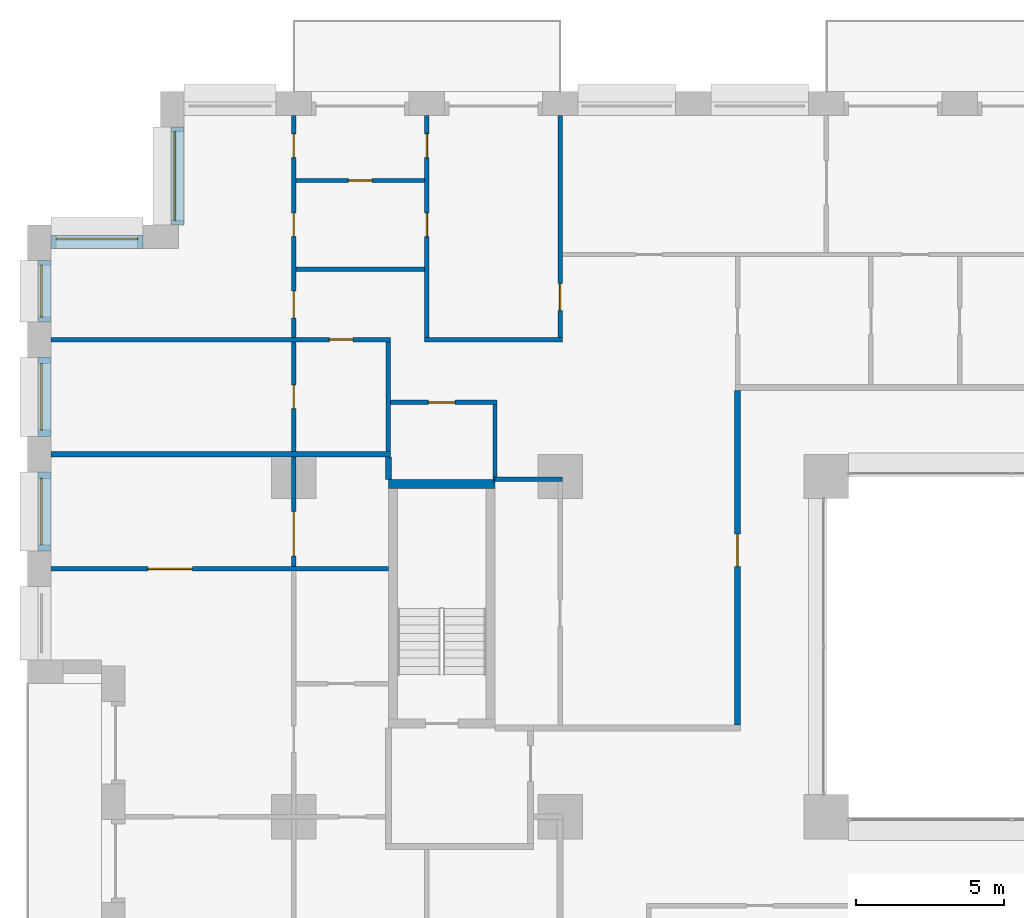
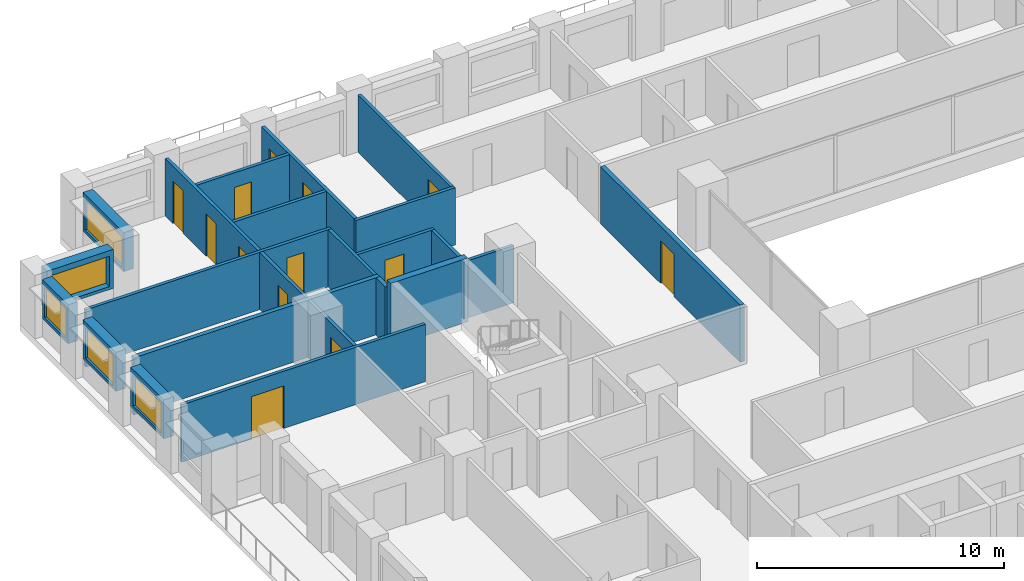
# One storey, part 13 of 19: 24 walls, 13 doors, 5 windows, 18 openings.
"""IFC4 building model written with IfcOpenShell, lengths in metres."""

from ifc_helpers import new_model, si_unit, direction, frame, frame_2d, origin, place, context, subcontext, project, spatial, rectangle, extrude, material, layer, layer_set, type_object, element, fill, save


model = new_model("IFC4")

# Units and contexts
model_context = context("Model", 3, precision=1e-05, world=origin(), true_north=direction((0.0, 1.0)))
body_context = subcontext(model_context, "Body", "Model", "MODEL_VIEW")
ifc_project = project(units=[si_unit("LENGTHUNIT", "METRE"), si_unit("AREAUNIT", "SQUARE_METRE"), si_unit("VOLUMEUNIT", "CUBIC_METRE"), si_unit("PLANEANGLEUNIT", "RADIAN"), si_unit("MASSUNIT", "GRAM", prefix="KILO")], contexts=[model_context])

# Site, building, storey
site_placement = place(None, origin())
site = spatial("IfcSite", under=ifc_project, at=site_placement, CompositionType="ELEMENT")
building_placement = place(site_placement, origin())
building = spatial("IfcBuilding", under=site, at=building_placement, Name="Brigalow Station Residences", CompositionType="ELEMENT")
storey_placement = place(building_placement, frame((0.0, 0.0, 32.10009765625)))
storey = spatial("IfcBuildingStorey", under=building, at=storey_placement, Name="L08", CompositionType="ELEMENT", Elevation=32.10009765625)

# Wall, opening, window
ifc_material_1 = material(Name="Clay brick masonry", Category="masonry")
ifc_layer_1 = layer(ifc_material_1, 0.449951171875)
ifc_layer_set_1 = layer_set([ifc_layer_1], Name="BRICK INFILL WALL 450")
wall_type_1 = type_object("IfcWallType", Name="BRICK INFILL WALL 450", PredefinedType="SOLIDWALL", material=ifc_layer_set_1)
wall_1_placement = place(storey_placement, frame((5.074951171875, 47.300048828125, 0.89990234375), z_axis=(0.0, 0.0, 1.0), x_axis=(0.0, -1.0, 0.0)))
wall_1 = element("IfcWall", 1, at=wall_1_placement, inside=storey, type_object=wall_type_1, Name="L08/ewall/W-L08-40", PredefinedType="SOLIDWALL", context=body_context, shape_type="SweptSolid", body=[
    extrude(rectangle(XDim=3.300048828125, YDim=0.449951171875, at=frame_2d((1.64990234375, 0.0))), origin(), (0.0, 0.0, 1.0), 1.929931640625),
])
opening_1_placement = place(wall_1_placement, frame((0.14990234375, 0.0, 0.14990234375)))
opening_1 = element("IfcOpeningElement", 2, at=opening_1_placement, cuts=wall_1, Name="Opening WT-2", PredefinedType="OPENING", context=body_context, shape_type="SweptSolid", body=[
    extrude(rectangle(XDim=3.0, YDim=1.5, at=frame_2d((1.5, 0.75))), frame((0.0, 0.23486328125, 0.0), z_axis=(0.0, -1.0, 0.0), x_axis=(1.0, 0.0, 0.0)), (0.0, 0.0, 1.0), 0.469970703125),
])
ifc_material_2 = material(Name="Anodised aluminium frame with double glazing", Category="aluminium")
window_type_1 = type_object("IfcWindowType", Name="WINDOW 3000x1500", PartitioningType="SINGLE_PANEL", PredefinedType="WINDOW", material=ifc_material_2)
window_1_placement = place(opening_1_placement, origin())
window_1 = element("IfcWindow", 3, at=window_1_placement, inside=storey, type_object=window_type_1, Name="L08/window/W-L08-40", OverallHeight=1.5, OverallWidth=3.0, PartitioningType="SINGLE_PANEL", PredefinedType="WINDOW", context=body_context, shape_type="SweptSolid", body=[
    extrude(rectangle(XDim=3.0, YDim=1.5, at=frame_2d((1.5, 0.75))), frame((0.0, -0.06494140625, 0.0), z_axis=(0.0, -1.0, 0.0), x_axis=(1.0, 0.0, 0.0)), (0.0, 0.0, 1.0), 0.06005859375),
])
fill(opening_1, window_1)

wall_2_placement = place(storey_placement, frame((3.89990234375, 43.425048828125, 0.89990234375), z_axis=(0.0, 0.0, 1.0), x_axis=(-1.0, 0.0, 0.0)))
wall_2 = element("IfcWall", 4, at=wall_2_placement, inside=storey, type_object=wall_type_1, Name="L08/ewall/W-L08-41", PredefinedType="SOLIDWALL", context=body_context, shape_type="SweptSolid", body=[
    extrude(rectangle(XDim=3.099853515625, YDim=0.449951171875, at=frame_2d((1.5498046875, 0.0))), origin(), (0.0, 0.0, 1.0), 1.929931640625),
])
opening_2_placement = place(wall_2_placement, frame((0.175048828125, 0.0, 0.14990234375)))
opening_2 = element("IfcOpeningElement", 5, at=opening_2_placement, cuts=wall_2, Name="Opening WT-3", PredefinedType="OPENING", context=body_context, shape_type="SweptSolid", body=[
    extrude(rectangle(XDim=2.75, YDim=1.5, at=frame_2d((1.375, 0.75))), frame((0.0, 0.23486328125, 0.0), z_axis=(0.0, -1.0, 0.0), x_axis=(1.0, 0.0, 0.0)), (0.0, 0.0, 1.0), 0.469970703125),
])
ifc_material_3 = material(Name="Anodised aluminium frame with double glazing", Category="aluminium")
window_type_2 = type_object("IfcWindowType", Name="WINDOW 2750x1500", PartitioningType="SINGLE_PANEL", PredefinedType="WINDOW", material=ifc_material_3)
window_2_placement = place(opening_2_placement, origin())
window_2 = element("IfcWindow", 6, at=window_2_placement, inside=storey, type_object=window_type_2, Name="L08/window/W-L08-41", OverallHeight=1.5, OverallWidth=2.75, PartitioningType="SINGLE_PANEL", PredefinedType="WINDOW", context=body_context, shape_type="SweptSolid", body=[
    extrude(rectangle(XDim=2.75, YDim=1.5, at=frame_2d((1.375, 0.75))), frame((0.0, -0.06494140625, 0.0), z_axis=(0.0, -1.0, 0.0), x_axis=(1.0, 0.0, 0.0)), (0.0, 0.0, 1.0), 0.06005859375),
])
fill(opening_2, window_2)

wall_3_placement = place(storey_placement, frame((0.574951171875, 42.800048828125, 0.89990234375), z_axis=(0.0, 0.0, 1.0), x_axis=(0.0, -1.0, 0.0)))
wall_3 = element("IfcWall", 7, at=wall_3_placement, inside=storey, type_object=wall_type_1, Name="L08/ewall/W-L08-42", PredefinedType="SOLIDWALL", context=body_context, shape_type="SweptSolid", body=[
    extrude(rectangle(XDim=2.074951171875, YDim=0.449951171875, at=frame_2d((1.03759765625, 0.0))), origin(), (0.0, 0.0, 1.0), 1.929931640625),
])
opening_3_placement = place(wall_3_placement, frame((0.16259765625, 0.0, 0.14990234375)))
opening_3 = element("IfcOpeningElement", 8, at=opening_3_placement, cuts=wall_3, Name="Opening WT-4", PredefinedType="OPENING", context=body_context, shape_type="SweptSolid", body=[
    extrude(rectangle(XDim=1.75, YDim=1.5, at=frame_2d((0.875, 0.75))), frame((0.0, 0.23486328125, 0.0), z_axis=(0.0, -1.0, 0.0), x_axis=(1.0, 0.0, 0.0)), (0.0, 0.0, 1.0), 0.469970703125),
])
ifc_material_4 = material(Name="Anodised aluminium frame with double glazing", Category="aluminium")
window_type_3 = type_object("IfcWindowType", Name="WINDOW 1750x1500", PartitioningType="SINGLE_PANEL", PredefinedType="WINDOW", material=ifc_material_4)
window_3_placement = place(opening_3_placement, origin())
window_3 = element("IfcWindow", 9, at=window_3_placement, inside=storey, type_object=window_type_3, Name="L08/window/W-L08-42", OverallHeight=1.5, OverallWidth=1.75, PartitioningType="SINGLE_PANEL", PredefinedType="WINDOW", context=body_context, shape_type="SweptSolid", body=[
    extrude(rectangle(XDim=1.75, YDim=1.5, at=frame_2d((0.875, 0.75))), frame((0.0, -0.06494140625, 0.0), z_axis=(0.0, -1.0, 0.0), x_axis=(1.0, 0.0, 0.0)), (0.0, 0.0, 1.0), 0.06005859375),
])
fill(opening_3, window_3)

wall_4_placement = place(storey_placement, frame((0.574951171875, 39.52490234375, 0.89990234375), z_axis=(0.0, 0.0, 1.0), x_axis=(0.0, -1.0, 0.0)))
wall_4 = element("IfcWall", 10, at=wall_4_placement, inside=storey, type_object=wall_type_1, Name="L08/ewall/W-L08-43", PredefinedType="SOLIDWALL", context=body_context, shape_type="SweptSolid", body=[
    extrude(rectangle(XDim=2.6748046875, YDim=0.449951171875, at=frame_2d((1.33740234375, 0.0))), origin(), (0.0, 0.0, 1.0), 1.929931640625),
])
opening_4_placement = place(wall_4_placement, frame((0.21240234375, 0.0, 0.14990234375)))
opening_4 = element("IfcOpeningElement", 11, at=opening_4_placement, cuts=wall_4, Name="Opening WT-6", PredefinedType="OPENING", context=body_context, shape_type="SweptSolid", body=[
    extrude(rectangle(XDim=2.25, YDim=1.5, at=frame_2d((1.125, 0.75))), frame((0.0, 0.23486328125, 0.0), z_axis=(0.0, -1.0, 0.0), x_axis=(1.0, 0.0, 0.0)), (0.0, 0.0, 1.0), 0.469970703125),
])
ifc_material_5 = material(Name="Anodised aluminium frame with double glazing", Category="aluminium")
window_type_4 = type_object("IfcWindowType", Name="WINDOW 2250x1500", PartitioningType="SINGLE_PANEL", PredefinedType="WINDOW", material=ifc_material_5)
window_4_placement = place(opening_4_placement, origin())
window_4 = element("IfcWindow", 12, at=window_4_placement, inside=storey, type_object=window_type_4, Name="L08/window/W-L08-43", OverallHeight=1.5, OverallWidth=2.25, PartitioningType="SINGLE_PANEL", PredefinedType="WINDOW", context=body_context, shape_type="SweptSolid", body=[
    extrude(rectangle(XDim=2.25, YDim=1.5, at=frame_2d((1.125, 0.75))), frame((0.0, -0.06494140625, 0.0), z_axis=(0.0, -1.0, 0.0), x_axis=(1.0, 0.0, 0.0)), (0.0, 0.0, 1.0), 0.06005859375),
])
fill(opening_4, window_4)

wall_5_placement = place(storey_placement, frame((0.574951171875, 35.64990234375, 0.89990234375), z_axis=(0.0, 0.0, 1.0), x_axis=(0.0, -1.0, 0.0)))
wall_5 = element("IfcWall", 13, at=wall_5_placement, inside=storey, type_object=wall_type_1, Name="L08/ewall/W-L08-44", PredefinedType="SOLIDWALL", context=body_context, shape_type="SweptSolid", body=[
    extrude(rectangle(XDim=2.6748046875, YDim=0.449951171875, at=frame_2d((1.33740234375, 0.0))), origin(), (0.0, 0.0, 1.0), 1.929931640625),
])
opening_5_placement = place(wall_5_placement, frame((0.21240234375, 0.0, 0.14990234375)))
opening_5 = element("IfcOpeningElement", 14, at=opening_5_placement, cuts=wall_5, Name="Opening WT-6", PredefinedType="OPENING", context=body_context, shape_type="SweptSolid", body=[
    extrude(rectangle(XDim=2.25, YDim=1.5, at=frame_2d((1.125, 0.75))), frame((0.0, 0.23486328125, 0.0), z_axis=(0.0, -1.0, 0.0), x_axis=(1.0, 0.0, 0.0)), (0.0, 0.0, 1.0), 0.469970703125),
])
window_5_placement = place(opening_5_placement, origin())
window_5 = element("IfcWindow", 15, at=window_5_placement, inside=storey, type_object=window_type_4, Name="L08/window/W-L08-44", OverallHeight=1.5, OverallWidth=2.25, PartitioningType="SINGLE_PANEL", PredefinedType="WINDOW", context=body_context, shape_type="SweptSolid", body=[
    extrude(rectangle(XDim=2.25, YDim=1.5, at=frame_2d((1.125, 0.75))), frame((0.0, -0.06494140625, 0.0), z_axis=(0.0, -1.0, 0.0), x_axis=(1.0, 0.0, 0.0)), (0.0, 0.0, 1.0), 0.06005859375),
])
fill(opening_5, window_5)

# Wall
ifc_material_6 = material(Name="Concrete C80", Category="concrete")
ifc_layer_2 = layer(ifc_material_6, 0.300048828125)
ifc_layer_set_2 = layer_set([ifc_layer_2], Name="CORE SHEAR WALL 300 C80")
wall_type_2 = type_object("IfcWallType", Name="CORE SHEAR WALL 300 C80", PredefinedType="SHEAR", material=ifc_layer_set_2)
wall_6_placement = place(storey_placement, frame((12.199951171875, 35.25, 0.0), z_axis=(0.0, 0.0, 1.0), x_axis=(1.0, 0.0, 0.0)))
element("IfcWall", 16, at=wall_6_placement, inside=storey, type_object=wall_type_2, Name="CORE WALL ST-S1-N L08", PredefinedType="SHEAR", context=body_context, shape_type="SweptSolid", body=[
    extrude(rectangle(XDim=3.60009765625, YDim=0.300048828125, at=frame_2d((1.800048828125, 0.0))), origin(), (0.0, 0.0, 1.0), 3.14990234375),
])

# Wall, opening, door
ifc_material_7 = material(Name="Plasterboard on steel stud partition", Category="steel")
ifc_layer_3 = layer(ifc_material_7, 0.14990234375)
ifc_layer_set_3 = layer_set([ifc_layer_3], Name="FLAT PARTITION 150")
wall_type_3 = type_object("IfcWallType", Name="FLAT PARTITION 150", PredefinedType="PARTITIONING", material=ifc_layer_set_3)
wall_7_placement = place(storey_placement, frame((0.800048828125, 32.375, 0.0), z_axis=(0.0, 0.0, 1.0), x_axis=(1.0, 0.0, 0.0)))
wall_7 = element("IfcWall", 17, at=wall_7_placement, inside=storey, type_object=wall_type_3, Name="PW-1B17", PredefinedType="PARTITIONING", context=body_context, shape_type="SweptSolid", body=[
    extrude(rectangle(XDim=11.39990234375, YDim=0.14990234375, at=frame_2d((5.699951171875, 0.0))), origin(), (0.0, 0.0, 1.0), 2.829833984375),
])
opening_6_placement = place(wall_7_placement, frame((3.27490234375, 0.0, 0.0)))
opening_6 = element("IfcOpeningElement", 18, at=opening_6_placement, cuts=wall_7, Name="Opening D-1B09", PredefinedType="OPENING", context=body_context, shape_type="SweptSolid", body=[
    extrude(rectangle(XDim=1.5, YDim=2.10009765625, at=frame_2d((0.75, 1.050048828125))), frame((0.0, 0.0849609375, 0.0), z_axis=(0.0, -1.0, 0.0), x_axis=(1.0, 0.0, 0.0)), (0.0, 0.0, 1.0), 0.169921875),
])
ifc_material_8 = material(Name="Solid-core timber door leaf", Category="wood")
door_type_1 = type_object("IfcDoorType", Name="INTERNAL DOUBLE DOOR 1500 x 2100", OperationType="DOUBLE_DOOR_SINGLE_SWING", PredefinedType="DOOR", material=ifc_material_8)
door_1_placement = place(opening_6_placement, origin())
door_1 = element("IfcDoor", 19, at=door_1_placement, inside=storey, type_object=door_type_1, Name="D-1B09", OperationType="DOUBLE_DOOR_SINGLE_SWING", OverallHeight=2.10009765625, OverallWidth=1.5, PredefinedType="DOOR", context=body_context, shape_type="SweptSolid", body=[
    extrude(rectangle(XDim=1.5, YDim=2.10009765625, at=frame_2d((0.75, 1.050048828125))), frame((0.0, 0.02490234375, 0.0), z_axis=(0.0, -1.0, 0.0), x_axis=(1.0, 0.0, 0.0)), (0.0, 0.0, 1.0), 0.050048828125),
])
fill(opening_6, door_1)

# Walls
wall_8_placement = place(storey_placement, frame((15.72509765625, 35.39990234375, 0.0), z_axis=(0.0, 0.0, 1.0), x_axis=(1.0, 0.0, 0.0)))
element("IfcWall", 20, at=wall_8_placement, inside=storey, type_object=wall_type_3, Name="PW-1B25", PredefinedType="PARTITIONING", context=body_context, shape_type="SweptSolid", body=[
    extrude(rectangle(XDim=0.074951171875, YDim=0.14990234375, at=frame_2d((0.03759765625, 0.0))), origin(), (0.0, 0.0, 1.0), 2.829833984375),
])
wall_9_placement = place(storey_placement, frame((15.800048828125, 35.39990234375, 0.0), z_axis=(0.0, 0.0, 1.0), x_axis=(1.0, 0.0, 0.0)))
element("IfcWall", 21, at=wall_9_placement, inside=storey, type_object=wall_type_3, Name="PW-1B26", PredefinedType="PARTITIONING", context=body_context, shape_type="SweptSolid", body=[
    extrude(rectangle(XDim=2.27490234375, YDim=0.14990234375, at=frame_2d((1.137451171875, 0.0))), origin(), (0.0, 0.0, 1.0), 2.829833984375),
])

# Wall, opening, door
wall_10_placement = place(storey_placement, frame((0.800048828125, 40.125, 0.0), z_axis=(0.0, 0.0, 1.0), x_axis=(1.0, 0.0, 0.0)))
wall_10 = element("IfcWall", 22, at=wall_10_placement, inside=storey, type_object=wall_type_3, Name="PW-1B29", PredefinedType="PARTITIONING", context=body_context, shape_type="SweptSolid", body=[
    extrude(rectangle(XDim=11.474853515625, YDim=0.14990234375, at=frame_2d((5.7373046875, 0.0))), origin(), (0.0, 0.0, 1.0), 2.829833984375),
])
opening_7_placement = place(wall_10_placement, frame((9.39990234375, 0.0, 0.0)))
opening_7 = element("IfcOpeningElement", 23, at=opening_7_placement, cuts=wall_10, Name="Opening D-1B33", PredefinedType="OPENING", context=body_context, shape_type="SweptSolid", body=[
    extrude(rectangle(XDim=0.800048828125, YDim=2.10009765625, at=frame_2d((0.39990234375, 1.050048828125))), frame((0.0, 0.0849609375, 0.0), z_axis=(0.0, -1.0, 0.0), x_axis=(1.0, 0.0, 0.0)), (0.0, 0.0, 1.0), 0.169921875),
])
ifc_material_9 = material(Name="Solid-core timber door leaf", Category="wood")
door_type_2 = type_object("IfcDoorType", Name="INTERNAL DOOR 800 x 2100", OperationType="SINGLE_SWING_LEFT", PredefinedType="DOOR", material=ifc_material_9)
door_2_placement = place(opening_7_placement, frame((0.800048828125, 0.0, 0.0), z_axis=(0.0, 0.0, 1.0), x_axis=(-1.0, 0.0, 0.0)))
door_2 = element("IfcDoor", 24, at=door_2_placement, inside=storey, type_object=door_type_2, Name="D-1B33", OperationType="SINGLE_SWING_RIGHT", OverallHeight=2.10009765625, OverallWidth=0.800048828125, PredefinedType="DOOR", context=body_context, shape_type="SweptSolid", body=[
    extrude(rectangle(XDim=0.800048828125, YDim=2.10009765625, at=frame_2d((0.39990234375, 1.050048828125))), frame((0.0, 0.02490234375, 0.0), z_axis=(0.0, -1.0, 0.0), x_axis=(1.0, 0.0, 0.0)), (0.0, 0.0, 1.0), 0.050048828125),
])
fill(opening_7, door_2)

# Wall
wall_11_placement = place(storey_placement, frame((13.425048828125, 40.125, 0.0), z_axis=(0.0, 0.0, 1.0), x_axis=(1.0, 0.0, 0.0)))
element("IfcWall", 25, at=wall_11_placement, inside=storey, type_object=wall_type_3, Name="PW-1B30", PredefinedType="PARTITIONING", context=body_context, shape_type="SweptSolid", body=[
    extrude(rectangle(XDim=4.64990234375, YDim=0.14990234375, at=frame_2d((2.324951171875, 0.0))), origin(), (0.0, 0.0, 1.0), 2.829833984375),
])

# Wall, opening, door
wall_12_placement = place(storey_placement, frame((12.27490234375, 38.0, 0.0), z_axis=(0.0, 0.0, 1.0), x_axis=(1.0, 0.0, 0.0)))
wall_12 = element("IfcWall", 26, at=wall_12_placement, inside=storey, type_object=wall_type_3, Name="PW-1B32", PredefinedType="PARTITIONING", context=body_context, shape_type="SweptSolid", body=[
    extrude(rectangle(XDim=3.60009765625, YDim=0.14990234375, at=frame_2d((1.800048828125, 0.0))), origin(), (0.0, 0.0, 1.0), 2.829833984375),
])
opening_8_placement = place(wall_12_placement, frame((1.27490234375, 0.0, 0.0)))
opening_8 = element("IfcOpeningElement", 27, at=opening_8_placement, cuts=wall_12, Name="Opening D-1B32", PredefinedType="OPENING", context=body_context, shape_type="SweptSolid", body=[
    extrude(rectangle(XDim=0.89990234375, YDim=2.10009765625, at=frame_2d((0.449951171875, 1.050048828125))), frame((0.0, 0.0849609375, 0.0), z_axis=(0.0, -1.0, 0.0), x_axis=(1.0, 0.0, 0.0)), (0.0, 0.0, 1.0), 0.169921875),
])
ifc_material_10 = material(Name="Solid-core timber door leaf", Category="wood")
door_type_3 = type_object("IfcDoorType", Name="INTERNAL DOOR 900 x 2100", OperationType="SINGLE_SWING_LEFT", PredefinedType="DOOR", material=ifc_material_10)
door_3_placement = place(opening_8_placement, frame((0.89990234375, 0.0, 0.0), z_axis=(0.0, 0.0, 1.0), x_axis=(-1.0, 0.0, 0.0)))
door_3 = element("IfcDoor", 28, at=door_3_placement, inside=storey, type_object=door_type_3, Name="D-1B32", OperationType="SINGLE_SWING_LEFT", OverallHeight=2.10009765625, OverallWidth=0.89990234375, PredefinedType="DOOR", context=body_context, shape_type="SweptSolid", body=[
    extrude(rectangle(XDim=0.89990234375, YDim=2.10009765625, at=frame_2d((0.449951171875, 1.050048828125))), frame((0.0, 0.02490234375, 0.0), z_axis=(0.0, -1.0, 0.0), x_axis=(1.0, 0.0, 0.0)), (0.0, 0.0, 1.0), 0.050048828125),
])
fill(opening_8, door_3)

# Wall
wall_13_placement = place(storey_placement, frame((9.074951171875, 42.5, 0.0), z_axis=(0.0, 0.0, 1.0), x_axis=(1.0, 0.0, 0.0)))
element("IfcWall", 29, at=wall_13_placement, inside=storey, type_object=wall_type_3, Name="PW-1B33", PredefinedType="PARTITIONING", context=body_context, shape_type="SweptSolid", body=[
    extrude(rectangle(XDim=4.35009765625, YDim=0.14990234375, at=frame_2d((2.175048828125, 0.0))), origin(), (0.0, 0.0, 1.0), 2.829833984375),
])

# Wall, opening, door
wall_14_placement = place(storey_placement, frame((9.074951171875, 45.5, 0.0), z_axis=(0.0, 0.0, 1.0), x_axis=(1.0, 0.0, 0.0)))
wall_14 = element("IfcWall", 30, at=wall_14_placement, inside=storey, type_object=wall_type_3, Name="PW-1B34", PredefinedType="PARTITIONING", context=body_context, shape_type="SweptSolid", body=[
    extrude(rectangle(XDim=4.35009765625, YDim=0.14990234375, at=frame_2d((2.175048828125, 0.0))), origin(), (0.0, 0.0, 1.0), 2.829833984375),
])
opening_9_placement = place(wall_14_placement, frame((1.77490234375, 0.0, 0.0)))
opening_9 = element("IfcOpeningElement", 31, at=opening_9_placement, cuts=wall_14, Name="Opening D-1B25", PredefinedType="OPENING", context=body_context, shape_type="SweptSolid", body=[
    extrude(rectangle(XDim=0.800048828125, YDim=2.10009765625, at=frame_2d((0.39990234375, 1.050048828125))), frame((0.0, 0.0849609375, 0.0), z_axis=(0.0, -1.0, 0.0), x_axis=(1.0, 0.0, 0.0)), (0.0, 0.0, 1.0), 0.169921875),
])
door_4_placement = place(opening_9_placement, origin())
door_4 = element("IfcDoor", 32, at=door_4_placement, inside=storey, type_object=door_type_2, Name="D-1B25", OperationType="SINGLE_SWING_RIGHT", OverallHeight=2.10009765625, OverallWidth=0.800048828125, PredefinedType="DOOR", context=body_context, shape_type="SweptSolid", body=[
    extrude(rectangle(XDim=0.800048828125, YDim=2.10009765625, at=frame_2d((0.39990234375, 1.050048828125))), frame((0.0, 0.02490234375, 0.0), z_axis=(0.0, -1.0, 0.0), x_axis=(1.0, 0.0, 0.0)), (0.0, 0.0, 1.0), 0.050048828125),
])
fill(opening_9, door_4)

wall_15_placement = place(storey_placement, frame((18.0, 40.199951171875, 0.0), z_axis=(0.0, 0.0, 1.0), x_axis=(0.0, 1.0, 0.0)))
wall_15 = element("IfcWall", 33, at=wall_15_placement, inside=storey, type_object=wall_type_3, Name="PW-1B38", PredefinedType="PARTITIONING", context=body_context, shape_type="SweptSolid", body=[
    extrude(rectangle(XDim=7.5, YDim=0.14990234375, at=frame_2d((3.75, 0.0))), origin(), (0.0, 0.0, 1.0), 2.829833984375),
])
opening_10_placement = place(wall_15_placement, frame((0.912109375, 0.0, 0.0)))
opening_10 = element("IfcOpeningElement", 34, at=opening_10_placement, cuts=wall_15, Name="Opening D-1B20", PredefinedType="OPENING", context=body_context, shape_type="SweptSolid", body=[
    extrude(rectangle(XDim=0.89990234375, YDim=2.10009765625, at=frame_2d((0.449951171875, 1.050048828125))), frame((0.0, 0.0849609375, 0.0), z_axis=(0.0, -1.0, 0.0), x_axis=(1.0, 0.0, 0.0)), (0.0, 0.0, 1.0), 0.169921875),
])
door_5_placement = place(opening_10_placement, origin())
door_5 = element("IfcDoor", 35, at=door_5_placement, inside=storey, type_object=door_type_3, Name="D-1B20", OperationType="SINGLE_SWING_LEFT", OverallHeight=2.10009765625, OverallWidth=0.89990234375, PredefinedType="DOOR", context=body_context, shape_type="SweptSolid", body=[
    extrude(rectangle(XDim=0.89990234375, YDim=2.10009765625, at=frame_2d((0.449951171875, 1.050048828125))), frame((0.0, 0.02490234375, 0.0), z_axis=(0.0, -1.0, 0.0), x_axis=(1.0, 0.0, 0.0)), (0.0, 0.0, 1.0), 0.050048828125),
])
fill(opening_10, door_5)

wall_16_placement = place(storey_placement, frame((9.0, 32.449951171875, 0.0), z_axis=(0.0, 0.0, 1.0), x_axis=(0.0, 1.0, 0.0)))
wall_16 = element("IfcWall", 36, at=wall_16_placement, inside=storey, type_object=wall_type_3, Name="PW-1B53", PredefinedType="PARTITIONING", context=body_context, shape_type="SweptSolid", body=[
    extrude(rectangle(XDim=3.699951171875, YDim=0.14990234375, at=frame_2d((1.85009765625, 0.0))), origin(), (0.0, 0.0, 1.0), 2.829833984375),
])
opening_11_placement = place(wall_16_placement, frame((0.362060546875, 0.0, 0.0)))
opening_11 = element("IfcOpeningElement", 37, at=opening_11_placement, cuts=wall_16, Name="Opening D-1B16", PredefinedType="OPENING", context=body_context, shape_type="SweptSolid", body=[
    extrude(rectangle(XDim=1.5, YDim=2.10009765625, at=frame_2d((0.75, 1.050048828125))), frame((0.0, 0.0849609375, 0.0), z_axis=(0.0, -1.0, 0.0), x_axis=(1.0, 0.0, 0.0)), (0.0, 0.0, 1.0), 0.169921875),
])
door_6_placement = place(opening_11_placement, frame((1.5, 0.0, 0.0), z_axis=(0.0, 0.0, 1.0), x_axis=(-1.0, 0.0, 0.0)))
door_6 = element("IfcDoor", 38, at=door_6_placement, inside=storey, type_object=door_type_1, Name="D-1B16", OperationType="DOUBLE_DOOR_SINGLE_SWING", OverallHeight=2.10009765625, OverallWidth=1.5, PredefinedType="DOOR", context=body_context, shape_type="SweptSolid", body=[
    extrude(rectangle(XDim=1.5, YDim=2.10009765625, at=frame_2d((0.75, 1.050048828125))), frame((0.0, 0.02490234375, 0.0), z_axis=(0.0, -1.0, 0.0), x_axis=(1.0, 0.0, 0.0)), (0.0, 0.0, 1.0), 0.050048828125),
])
fill(opening_11, door_6)

wall_17_placement = place(storey_placement, frame((9.0, 36.35009765625, 0.0), z_axis=(0.0, 0.0, 1.0), x_axis=(0.0, 1.0, 0.0)))
wall_17 = element("IfcWall", 39, at=wall_17_placement, inside=storey, type_object=wall_type_3, Name="PW-1B54", PredefinedType="PARTITIONING", context=body_context, shape_type="SweptSolid", body=[
    extrude(rectangle(XDim=3.699951171875, YDim=0.14990234375, at=frame_2d((1.85009765625, 0.0))), origin(), (0.0, 0.0, 1.0), 2.829833984375),
])
opening_12_placement = place(wall_17_placement, frame((1.43798828125, 0.0, 0.0)))
opening_12 = element("IfcOpeningElement", 40, at=opening_12_placement, cuts=wall_17, Name="Opening D-1B21", PredefinedType="OPENING", context=body_context, shape_type="SweptSolid", body=[
    extrude(rectangle(XDim=0.800048828125, YDim=2.10009765625, at=frame_2d((0.39990234375, 1.050048828125))), frame((0.0, 0.0849609375, 0.0), z_axis=(0.0, -1.0, 0.0), x_axis=(1.0, 0.0, 0.0)), (0.0, 0.0, 1.0), 0.169921875),
])
door_7_placement = place(opening_12_placement, frame((0.800048828125, 0.0, 0.0), z_axis=(0.0, 0.0, 1.0), x_axis=(-1.0, 0.0, 0.0)))
door_7 = element("IfcDoor", 41, at=door_7_placement, inside=storey, type_object=door_type_2, Name="D-1B21", OperationType="SINGLE_SWING_RIGHT", OverallHeight=2.10009765625, OverallWidth=0.800048828125, PredefinedType="DOOR", context=body_context, shape_type="SweptSolid", body=[
    extrude(rectangle(XDim=0.800048828125, YDim=2.10009765625, at=frame_2d((0.39990234375, 1.050048828125))), frame((0.0, 0.02490234375, 0.0), z_axis=(0.0, -1.0, 0.0), x_axis=(1.0, 0.0, 0.0)), (0.0, 0.0, 1.0), 0.050048828125),
])
fill(opening_12, door_7)

# Wall, openings, doors
wall_18_placement = place(storey_placement, frame((9.0, 40.199951171875, 0.0), z_axis=(0.0, 0.0, 1.0), x_axis=(0.0, 1.0, 0.0)))
wall_18 = element("IfcWall", 42, at=wall_18_placement, inside=storey, type_object=wall_type_3, Name="PW-1B55", PredefinedType="PARTITIONING", context=body_context, shape_type="SweptSolid", body=[
    extrude(rectangle(XDim=7.5, YDim=0.14990234375, at=frame_2d((3.75, 0.0))), origin(), (0.0, 0.0, 1.0), 2.829833984375),
])
opening_13_placement = place(wall_18_placement, frame((6.074951171875, 0.0, 0.0)))
opening_13 = element("IfcOpeningElement", 43, at=opening_13_placement, cuts=wall_18, Name="Opening D-1B26", PredefinedType="OPENING", context=body_context, shape_type="SweptSolid", body=[
    extrude(rectangle(XDim=0.800048828125, YDim=2.10009765625, at=frame_2d((0.39990234375, 1.050048828125))), frame((0.0, 0.0849609375, 0.0), z_axis=(0.0, -1.0, 0.0), x_axis=(1.0, 0.0, 0.0)), (0.0, 0.0, 1.0), 0.169921875),
])
opening_14_placement = place(wall_18_placement, frame((3.39990234375, 0.0, 0.0)))
opening_14 = element("IfcOpeningElement", 44, at=opening_14_placement, cuts=wall_18, Name="Opening D-1B27", PredefinedType="OPENING", context=body_context, shape_type="SweptSolid", body=[
    extrude(rectangle(XDim=0.800048828125, YDim=2.10009765625, at=frame_2d((0.39990234375, 1.050048828125))), frame((0.0, 0.0849609375, 0.0), z_axis=(0.0, -1.0, 0.0), x_axis=(1.0, 0.0, 0.0)), (0.0, 0.0, 1.0), 0.169921875),
])
opening_15_placement = place(wall_18_placement, frame((0.662109375, 0.0, 0.0)))
opening_15 = element("IfcOpeningElement", 45, at=opening_15_placement, cuts=wall_18, Name="Opening D-1B31", PredefinedType="OPENING", context=body_context, shape_type="SweptSolid", body=[
    extrude(rectangle(XDim=0.89990234375, YDim=2.10009765625, at=frame_2d((0.449951171875, 1.050048828125))), frame((0.0, 0.0849609375, 0.0), z_axis=(0.0, -1.0, 0.0), x_axis=(1.0, 0.0, 0.0)), (0.0, 0.0, 1.0), 0.169921875),
])
door_8_placement = place(opening_13_placement, frame((0.800048828125, 0.0, 0.0), z_axis=(0.0, 0.0, 1.0), x_axis=(-1.0, 0.0, 0.0)))
door_8 = element("IfcDoor", 46, at=door_8_placement, inside=storey, type_object=door_type_2, Name="D-1B26", OperationType="SINGLE_SWING_LEFT", OverallHeight=2.10009765625, OverallWidth=0.800048828125, PredefinedType="DOOR", context=body_context, shape_type="SweptSolid", body=[
    extrude(rectangle(XDim=0.800048828125, YDim=2.10009765625, at=frame_2d((0.39990234375, 1.050048828125))), frame((0.0, 0.02490234375, 0.0), z_axis=(0.0, -1.0, 0.0), x_axis=(1.0, 0.0, 0.0)), (0.0, 0.0, 1.0), 0.050048828125),
])
fill(opening_13, door_8)
door_9_placement = place(opening_14_placement, frame((0.800048828125, 0.0, 0.0), z_axis=(0.0, 0.0, 1.0), x_axis=(-1.0, 0.0, 0.0)))
door_9 = element("IfcDoor", 47, at=door_9_placement, inside=storey, type_object=door_type_2, Name="D-1B27", OperationType="SINGLE_SWING_LEFT", OverallHeight=2.10009765625, OverallWidth=0.800048828125, PredefinedType="DOOR", context=body_context, shape_type="SweptSolid", body=[
    extrude(rectangle(XDim=0.800048828125, YDim=2.10009765625, at=frame_2d((0.39990234375, 1.050048828125))), frame((0.0, 0.02490234375, 0.0), z_axis=(0.0, -1.0, 0.0), x_axis=(1.0, 0.0, 0.0)), (0.0, 0.0, 1.0), 0.050048828125),
])
fill(opening_14, door_9)
door_10_placement = place(opening_15_placement, origin())
door_10 = element("IfcDoor", 48, at=door_10_placement, inside=storey, type_object=door_type_3, Name="D-1B31", OperationType="SINGLE_SWING_LEFT", OverallHeight=2.10009765625, OverallWidth=0.89990234375, PredefinedType="DOOR", context=body_context, shape_type="SweptSolid", body=[
    extrude(rectangle(XDim=0.89990234375, YDim=2.10009765625, at=frame_2d((0.449951171875, 1.050048828125))), frame((0.0, 0.02490234375, 0.0), z_axis=(0.0, -1.0, 0.0), x_axis=(1.0, 0.0, 0.0)), (0.0, 0.0, 1.0), 0.050048828125),
])
fill(opening_15, door_10)

wall_19_placement = place(storey_placement, frame((13.5, 40.199951171875, 0.0), z_axis=(0.0, 0.0, 1.0), x_axis=(0.0, 1.0, 0.0)))
wall_19 = element("IfcWall", 49, at=wall_19_placement, inside=storey, type_object=wall_type_3, Name="PW-1B58", PredefinedType="PARTITIONING", context=body_context, shape_type="SweptSolid", body=[
    extrude(rectangle(XDim=7.5, YDim=0.14990234375, at=frame_2d((3.75, 0.0))), origin(), (0.0, 0.0, 1.0), 2.829833984375),
])
opening_16_placement = place(wall_19_placement, frame((6.074951171875, 0.0, 0.0)))
opening_16 = element("IfcOpeningElement", 50, at=opening_16_placement, cuts=wall_19, Name="Opening D-1B18", PredefinedType="OPENING", context=body_context, shape_type="SweptSolid", body=[
    extrude(rectangle(XDim=0.800048828125, YDim=2.10009765625, at=frame_2d((0.39990234375, 1.050048828125))), frame((0.0, 0.0849609375, 0.0), z_axis=(0.0, -1.0, 0.0), x_axis=(1.0, 0.0, 0.0)), (0.0, 0.0, 1.0), 0.169921875),
])
opening_17_placement = place(wall_19_placement, frame((3.39990234375, 0.0, 0.0)))
opening_17 = element("IfcOpeningElement", 51, at=opening_17_placement, cuts=wall_19, Name="Opening D-1B19", PredefinedType="OPENING", context=body_context, shape_type="SweptSolid", body=[
    extrude(rectangle(XDim=0.800048828125, YDim=2.10009765625, at=frame_2d((0.39990234375, 1.050048828125))), frame((0.0, 0.0849609375, 0.0), z_axis=(0.0, -1.0, 0.0), x_axis=(1.0, 0.0, 0.0)), (0.0, 0.0, 1.0), 0.169921875),
])
door_11_placement = place(opening_16_placement, origin())
door_11 = element("IfcDoor", 52, at=door_11_placement, inside=storey, type_object=door_type_2, Name="D-1B18", OperationType="SINGLE_SWING_RIGHT", OverallHeight=2.10009765625, OverallWidth=0.800048828125, PredefinedType="DOOR", context=body_context, shape_type="SweptSolid", body=[
    extrude(rectangle(XDim=0.800048828125, YDim=2.10009765625, at=frame_2d((0.39990234375, 1.050048828125))), frame((0.0, 0.02490234375, 0.0), z_axis=(0.0, -1.0, 0.0), x_axis=(1.0, 0.0, 0.0)), (0.0, 0.0, 1.0), 0.050048828125),
])
fill(opening_16, door_11)
door_12_placement = place(opening_17_placement, origin())
door_12 = element("IfcDoor", 53, at=door_12_placement, inside=storey, type_object=door_type_2, Name="D-1B19", OperationType="SINGLE_SWING_RIGHT", OverallHeight=2.10009765625, OverallWidth=0.800048828125, PredefinedType="DOOR", context=body_context, shape_type="SweptSolid", body=[
    extrude(rectangle(XDim=0.800048828125, YDim=2.10009765625, at=frame_2d((0.39990234375, 1.050048828125))), frame((0.0, 0.02490234375, 0.0), z_axis=(0.0, -1.0, 0.0), x_axis=(1.0, 0.0, 0.0)), (0.0, 0.0, 1.0), 0.050048828125),
])
fill(opening_17, door_12)

# Walls
wall_20_placement = place(storey_placement, frame((12.199951171875, 36.35009765625, 0.0), z_axis=(0.0, 0.0, 1.0), x_axis=(0.0, 1.0, 0.0)))
element("IfcWall", 54, at=wall_20_placement, inside=storey, type_object=wall_type_3, Name="PW-1B59", PredefinedType="PARTITIONING", context=body_context, shape_type="SweptSolid", body=[
    extrude(rectangle(XDim=3.699951171875, YDim=0.14990234375, at=frame_2d((1.85009765625, 0.0))), origin(), (0.0, 0.0, 1.0), 2.829833984375),
])
wall_21_placement = place(storey_placement, frame((15.800048828125, 35.47509765625, 0.0), z_axis=(0.0, 0.0, 1.0), x_axis=(0.0, 1.0, 0.0)))
element("IfcWall", 55, at=wall_21_placement, inside=storey, type_object=wall_type_3, Name="PW-1B61", PredefinedType="PARTITIONING", context=body_context, shape_type="SweptSolid", body=[
    extrude(rectangle(XDim=2.449951171875, YDim=0.14990234375, at=frame_2d((1.22509765625, 0.0))), origin(), (0.0, 0.0, 1.0), 2.829833984375),
])
ifc_material_11 = material(Name="Plasterboard on steel stud partition", Category="steel")
ifc_layer_4 = layer(ifc_material_11, 0.199951171875)
ifc_layer_set_4 = layer_set([ifc_layer_4], Name="PARTY AND CORRIDOR WALL 200")
wall_type_4 = type_object("IfcWallType", Name="PARTY AND CORRIDOR WALL 200", PredefinedType="PARTITIONING", material=ifc_layer_set_4)
wall_22_placement = place(storey_placement, frame((0.800048828125, 36.25, 0.0), z_axis=(0.0, 0.0, 1.0), x_axis=(1.0, 0.0, 0.0)))
element("IfcWall", 56, at=wall_22_placement, inside=storey, type_object=wall_type_4, Name="PW-1B22", PredefinedType="PARTITIONING", context=body_context, shape_type="SweptSolid", body=[
    extrude(rectangle(XDim=11.474853515625, YDim=0.199951171875, at=frame_2d((5.7373046875, 0.0))), origin(), (0.0, 0.0, 1.0), 2.829833984375),
])

# Wall, opening, door
wall_23_placement = place(storey_placement, frame((24.0, 27.10009765625, 0.0), z_axis=(0.0, 0.0, 1.0), x_axis=(0.0, 1.0, 0.0)))
wall_23 = element("IfcWall", 57, at=wall_23_placement, inside=storey, type_object=wall_type_4, Name="PW-1B47", PredefinedType="PARTITIONING", context=body_context, shape_type="SweptSolid", body=[
    extrude(rectangle(XDim=11.2998046875, YDim=0.199951171875, at=frame_2d((5.64990234375, 0.0))), origin(), (0.0, 0.0, 1.0), 2.829833984375),
])
opening_18_placement = place(wall_23_placement, frame((5.35009765625, 0.0, 0.0)))
opening_18 = element("IfcOpeningElement", 58, at=opening_18_placement, cuts=wall_23, Name="Opening D-1B36", PredefinedType="OPENING", context=body_context, shape_type="SweptSolid", body=[
    extrude(rectangle(XDim=1.10009765625, YDim=2.10009765625, at=frame_2d((0.550048828125, 1.050048828125))), frame((0.0, 0.10986328125, 0.0), z_axis=(0.0, -1.0, 0.0), x_axis=(1.0, 0.0, 0.0)), (0.0, 0.0, 1.0), 0.219970703125),
])
ifc_material_12 = material(Name="Solid-core timber door leaf", Category="wood")
door_type_4 = type_object("IfcDoorType", Name="FLAT ENTRANCE DOOR 1100 x 2100 FRL -/60/30", OperationType="SINGLE_SWING_LEFT", PredefinedType="DOOR", material=ifc_material_12)
door_13_placement = place(opening_18_placement, origin())
door_13 = element("IfcDoor", 59, at=door_13_placement, inside=storey, type_object=door_type_4, Name="D-1B36", OperationType="SINGLE_SWING_LEFT", OverallHeight=2.10009765625, OverallWidth=1.10009765625, PredefinedType="DOOR", context=body_context, shape_type="SweptSolid", body=[
    extrude(rectangle(XDim=1.10009765625, YDim=2.10009765625, at=frame_2d((0.550048828125, 1.050048828125))), frame((0.0, 0.02490234375, 0.0), z_axis=(0.0, -1.0, 0.0), x_axis=(1.0, 0.0, 0.0)), (0.0, 0.0, 1.0), 0.050048828125),
])
fill(opening_18, door_13)

# Wall
wall_24_placement = place(storey_placement, frame((12.199951171875, 35.39990234375, 0.0), z_axis=(0.0, 0.0, 1.0), x_axis=(0.0, 1.0, 0.0)))
element("IfcWall", 60, at=wall_24_placement, inside=storey, type_object=wall_type_4, Name="PW-1B60", PredefinedType="PARTITIONING", context=body_context, shape_type="SweptSolid", body=[
    extrude(rectangle(XDim=0.75, YDim=0.199951171875, at=frame_2d((0.375, 0.0))), origin(), (0.0, 0.0, 1.0), 2.829833984375),
])

save(model, "model.ifc")
